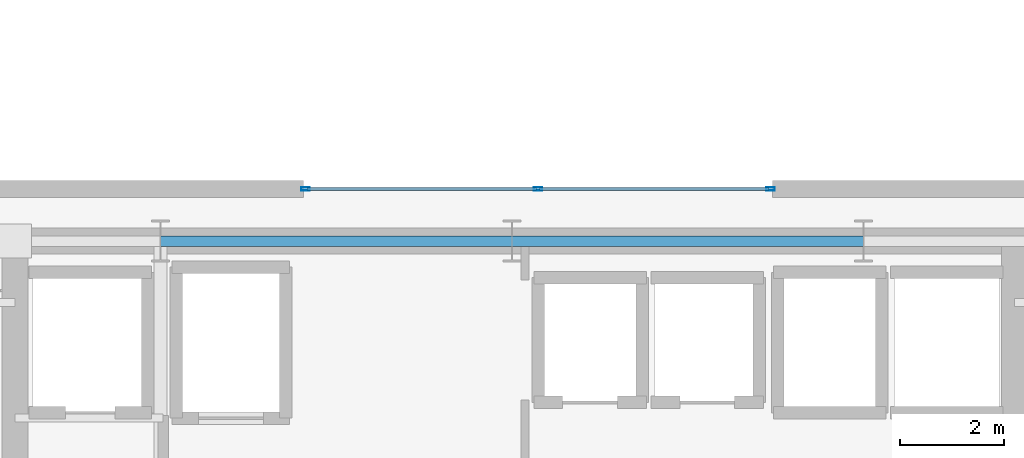
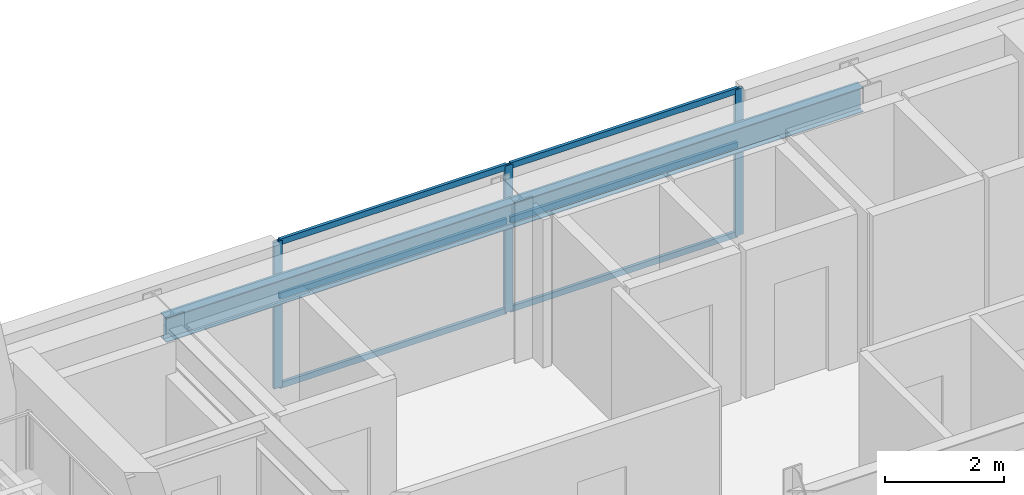
# One storey, part 4 of 22: 9 members, 2 beams, 1 element without a shape of its own.
"""IFC4 building model written with IfcOpenShell, lengths in metres."""

import ifcopenshell
import ifcopenshell.guid

model = None  # the IFC model being written
_history = None  # IfcOwnerHistory: only IFC2X3 demands one
_inside = {}  # id of a spatial element -> (the spatial element, [elements in it])
_under = {}  # id of a project, library or spatial element -> (it, [spatial elements below it])
_declared = {}  # id of a project -> (the project, [libraries it declares])
_typed = {}  # id of a type object -> (the type object, [elements of that type])
_made_of = {}  # id of a material, layer set ... -> (it, [elements and type objects made of it])


def new_model(schema):
    """Start an empty IFC model of exactly this schema.

    Asked for "IFC4X3", IfcOpenShell would pick the latest addendum, in which some entities
    have other attributes; the version numbers below select the first issue.
    IFC2X3 requires an IfcOwnerHistory on every rooted entity: one is made here for all.
    """
    global model, _history
    if schema == "IFC4X3":
        model = ifcopenshell.file(schema_version=(4, 3, 0, 0))
    else:
        model = ifcopenshell.file(schema=schema)
    _inside.clear()
    _under.clear()
    _declared.clear()
    _typed.clear()
    _made_of.clear()
    _history = None
    if model.schema == "IFC2X3":
        org = make("IfcOrganization", Name="unknown")
        user = make(
            "IfcPersonAndOrganization",
            ThePerson=make("IfcPerson", FamilyName="unknown"),
            TheOrganization=org,
        )
        app = make(
            "IfcApplication",
            ApplicationDeveloper=org,
            Version="unknown",
            ApplicationFullName="unknown",
            ApplicationIdentifier="unknown",
        )
        _history = make(
            "IfcOwnerHistory",
            OwningUser=user,
            OwningApplication=app,
            ChangeAction="ADDED",
            CreationDate=0,
        )
    return model


def make(cls, **values):
    """One entity of the class cls with the attributes given. An attribute that is None is left unset."""
    return model.create_entity(
        cls, **{name: value for name, value in values.items() if value is not None}
    )


def rooted(cls, **values):
    """An entity with a GlobalId (a new one), such as an element, a storey or a relation."""
    return make(cls, GlobalId=ifcopenshell.guid.new(), OwnerHistory=_history, **values)


def si_unit(unit_type, name, prefix=None):
    """IfcSIUnit, for example si_unit("LENGTHUNIT", "METRE", prefix="MILLI")."""
    return make("IfcSIUnit", UnitType=unit_type, Prefix=prefix, Name=name)


def assignment(units):
    """IfcUnitAssignment: the units of a project."""
    return None if units is None else make("IfcUnitAssignment", Units=units)


def point(xyz):
    """IfcCartesianPoint."""
    return None if xyz is None else make("IfcCartesianPoint", Coordinates=xyz)


def direction(xyz):
    """IfcDirection."""
    return None if xyz is None else make("IfcDirection", DirectionRatios=xyz)


def frame(location, z_axis=None, x_axis=None):
    """IfcAxis2Placement3D, a coordinate frame: its origin and axes. An axis left out is left unset."""
    return make(
        "IfcAxis2Placement3D",
        Location=point(location),
        Axis=direction(z_axis),
        RefDirection=direction(x_axis),
    )


def frame_2d(location, x_axis=None):
    """IfcAxis2Placement2D, a coordinate frame in the plane: its origin and x axis."""
    return make(
        "IfcAxis2Placement2D", Location=point(location), RefDirection=direction(x_axis)
    )


def origin():
    """The frame at (0, 0, 0) with its axes left unset."""
    return frame((0.0, 0.0, 0.0))


def origin_2d():
    """The frame at (0, 0) in the plane with its x axis left unset."""
    return frame_2d((0.0, 0.0))


def place(relative_to, where):
    """IfcLocalPlacement: puts the frame where relative to a parent placement (None: the world)."""
    return make(
        "IfcLocalPlacement", PlacementRelTo=relative_to, RelativePlacement=where
    )


def context(
    kind, dimensions, precision=None, world=None, true_north=None, identifier=None
):
    """IfcGeometricRepresentationContext, for example the 3D "Model" context."""
    return make(
        "IfcGeometricRepresentationContext",
        ContextIdentifier=identifier,
        ContextType=kind,
        CoordinateSpaceDimension=dimensions,
        Precision=precision,
        WorldCoordinateSystem=world,
        TrueNorth=true_north,
    )


def subcontext(parent, identifier, kind, view, scale=None):
    """IfcGeometricRepresentationSubContext, for example "Body" below "Model"."""
    return make(
        "IfcGeometricRepresentationSubContext",
        ContextIdentifier=identifier,
        ContextType=kind,
        ParentContext=parent,
        TargetScale=scale,
        TargetView=view,
    )


def project(units=None, contexts=None):
    """IfcProject with its units and contexts."""
    return rooted(
        "IfcProject",
        Name="project",
        RepresentationContexts=contexts,
        UnitsInContext=assignment(units),
    )


def spatial(cls, under=None, at=None, **own):
    """A site, building, storey or space (cls), placed at a placement, below another one or the project."""
    s = rooted(cls, ObjectPlacement=at, **own)
    if under is not None:
        _under.setdefault(under.id(), (under, []))[1].append(s)
    return s


def profile(cls, at=None, kind="AREA", **sizes):
    """A parametric profile (cls). Its sizes go by their IFC names, for example OverallWidth=200.0."""
    return make(cls, ProfileType=kind, Position=at, **sizes)


def hollow_rectangle(**sizes):
    """IfcRectangleHollowProfileDef."""
    return profile("IfcRectangleHollowProfileDef", **sizes)


def i_section(**sizes):
    """IfcIShapeProfileDef."""
    return profile("IfcIShapeProfileDef", **sizes)


def extrude(swept, where, along, depth):
    """IfcExtrudedAreaSolid: the profile swept, set in the frame where, extruded along a direction by depth."""
    return make(
        "IfcExtrudedAreaSolid",
        SweptArea=swept,
        Position=where,
        ExtrudedDirection=direction(along),
        Depth=depth,
    )


def shape(context_of_items, identifier, shape_type, items):
    """IfcShapeRepresentation: the items that make up one representation, for example the "Body"."""
    return make(
        "IfcShapeRepresentation",
        ContextOfItems=context_of_items,
        RepresentationIdentifier=identifier,
        RepresentationType=shape_type,
        Items=items,
    )


def material(Name=None, Category=None):
    """IfcMaterial."""
    return make("IfcMaterial", Name=Name, Category=Category)


def layer(
    of_material, thickness, ventilated=None, Name=None, Category=None, Priority=None
):
    """IfcMaterialLayer: one layer of a wall or slab, of a material (None: an air gap)."""
    return make(
        "IfcMaterialLayer",
        Material=of_material,
        LayerThickness=thickness,
        IsVentilated=ventilated,
        Name=Name,
        Category=Category,
        Priority=Priority,
    )


def layer_set(layers, Name=None):
    """IfcMaterialLayerSet."""
    return make("IfcMaterialLayerSet", MaterialLayers=layers, LayerSetName=Name)


def material_profile(
    of_material, cross_section, Name=None, Category=None, Priority=None
):
    """IfcMaterialProfile: a cross section and its material."""
    return make(
        "IfcMaterialProfile",
        Name=Name,
        Material=of_material,
        Profile=cross_section,
        Priority=Priority,
        Category=Category,
    )


def profile_set(profiles, Name=None, composite=None):
    """IfcMaterialProfileSet."""
    return make(
        "IfcMaterialProfileSet",
        Name=Name,
        MaterialProfiles=profiles,
        CompositeProfile=composite,
    )


def made_of(thing, what):
    """Note that an element or type object is made of a material, layer set ...; save() writes the relation."""
    if what is not None:
        _made_of.setdefault(what.id(), (what, []))[1].append(thing)
    return thing


def type_object(cls, material=None, **own):
    """A type object (cls), such as IfcWallType, which elements share."""
    return made_of(rooted(cls, **own), material)


def element(
    cls,
    number,
    at=None,
    inside=None,
    cuts=None,
    type_object=None,
    material=None,
    context=None,
    identifier="Body",
    shape_type=None,
    held_by="IfcProductDefinitionShape",
    body=None,
    shapes=None,
    **own,
):
    """One element of the class cls, such as IfcWall. Its Tag is "e" and its number.

    at: its placement. inside: the storey or other place that contains it. cuts: it is an
    opening in that element (IfcRelVoidsElement). A single representation is given by context,
    identifier, shape_type and body (its items); several are given by shapes. held_by: the class
    of the entity that holds the representations. save() writes the other relations.
    """
    e = rooted(cls, Tag="e%d" % number, ObjectPlacement=at, **own)
    if body is not None:
        shapes = [shape(context, identifier, shape_type, body)]
    if shapes is not None:
        e.Representation = make(held_by, Representations=shapes)
    if inside is not None:
        _inside.setdefault(inside.id(), (inside, []))[1].append(e)
    if cuts is not None:
        rooted(
            "IfcRelVoidsElement", RelatingBuildingElement=cuts, RelatedOpeningElement=e
        )
    if type_object is not None:
        _typed.setdefault(type_object.id(), (type_object, []))[1].append(e)
    return made_of(e, material)


def aggregate(whole, parts):
    """IfcRelAggregates: a whole, such as a stair, and the parts it consists of."""
    return rooted("IfcRelAggregates", RelatingObject=whole, RelatedObjects=parts)


def save(model, path):
    """Write the relations noted so far, then the file.

    IfcRelAggregates (storeys below a building ...), IfcRelContainedInSpatialStructure (elements
    in a storey), IfcRelDefinesByType, IfcRelAssociatesMaterial and IfcRelDeclares: one each for
    every whole, place, type object, material and project.
    """
    for whole, parts in _under.values():
        aggregate(whole, parts)
    for where, things in _inside.values():
        rooted(
            "IfcRelContainedInSpatialStructure",
            RelatedElements=things,
            RelatingStructure=where,
        )
    for kind, things in _typed.values():
        rooted("IfcRelDefinesByType", RelatedObjects=things, RelatingType=kind)
    for what, things in _made_of.values():
        rooted("IfcRelAssociatesMaterial", RelatedObjects=things, RelatingMaterial=what)
    for by, libraries in _declared.values():
        rooted("IfcRelDeclares", RelatingContext=by, RelatedDefinitions=libraries)
    model.write(path)


model = new_model("IFC4")

# Units and contexts
model_context = context("Model", 3, precision=1e-05, world=origin(), true_north=direction((0.0, 1.0)))
body_context = subcontext(model_context, "Body", "Model", "MODEL_VIEW")
ifc_project = project(units=[si_unit("LENGTHUNIT", "METRE"), si_unit("AREAUNIT", "SQUARE_METRE"), si_unit("VOLUMEUNIT", "CUBIC_METRE"), si_unit("PLANEANGLEUNIT", "RADIAN"), si_unit("MASSUNIT", "GRAM", prefix="KILO")], contexts=[model_context])

# Site, building, storey
site_placement = place(None, origin())
site = spatial("IfcSite", under=ifc_project, at=site_placement, CompositionType="ELEMENT")
building_placement = place(site_placement, origin())
building = spatial("IfcBuilding", under=site, at=building_placement, Name="Haevon Station Towers", CompositionType="ELEMENT")
storey_placement = place(building_placement, frame((0.0, 0.0, 93.300048828125)))
storey = spatial("IfcBuildingStorey", under=building, at=storey_placement, Name="L24", CompositionType="ELEMENT", Elevation=93.300048828125)

# Beams
ifc_material_1 = material(Name="Steel S355", Category="steel")
ifc_material_profile_1 = material_profile(ifc_material_1, i_section(OverallWidth=0.199951171875, OverallDepth=0.5, WebThickness=0.010009765625, FlangeThickness=0.01611328125, at=origin_2d()), Name="H-500x200x10x16")
ifc_profile_set_1 = profile_set([ifc_material_profile_1], Name="Steel S355")
beam_type = type_object("IfcBeamType", Name="BM-SP500", PredefinedType="SPANDREL", material=ifc_profile_set_1)
for number, where, z_axis, x_axis, name in (
    (1, (30.75, 48.0, 2.800048828125), (1.0, 0.0, 0.0), (0.0, 1.0, 0.0), "BM-T1U-L24-04-03"),
    (2, (37.5, 48.0, 2.800048828125), (1.0, 0.0, 0.0), (0.0, 1.0, 0.0), "BM-T1U-L24-04-04"),
):
    element("IfcBeam", number, at=place(storey_placement, frame(where, z_axis=z_axis, x_axis=x_axis)), inside=storey, type_object=beam_type, Name=name, PredefinedType="SPANDREL", context=body_context, shape_type="SweptSolid", body=[
        extrude(i_section(OverallWidth=0.199951171875, OverallDepth=0.5, WebThickness=0.010009765625, FlangeThickness=0.01611328125, at=origin_2d()), origin(), (0.0, 0.0, 1.0), 6.75),
    ])

# Curtain wall, members
ifc_material_2 = material(Name="Anodised aluminium and Low-E double glazing", Category="aluminium")
ifc_layer = layer(ifc_material_2, 0.179931640625)
ifc_layer_set = layer_set([ifc_layer], Name="Anodised aluminium and Low-E double glazing")
curtain_wall_type = type_object("IfcCurtainWallType", Name="CW-SYS4", PredefinedType="NOTDEFINED", material=ifc_layer_set)
curtain_wall_placement = place(storey_placement, origin())
curtain_wall = element("IfcCurtainWall", 3, at=curtain_wall_placement, inside=storey, type_object=curtain_wall_type, Name="L24 Curtain Wall CW-T1-L24-N", PredefinedType="NOTDEFINED")
ifc_material_3 = material(Name="Anodised aluminium 6063-T6", Category="aluminium")
ifc_material_profile_2 = material_profile(ifc_material_3, hollow_rectangle(XDim=0.06494140625, YDim=0.159912109375, WallThickness=0.00390625, at=origin_2d()), Name="CWM-160x65x4")
ifc_profile_set_2 = profile_set([ifc_material_profile_2], Name="Anodised aluminium 6063-T6")
member_type_1 = type_object("IfcMemberType", Name="CWM-160", PredefinedType="MULLION", material=ifc_profile_set_2)
member_1_placement = place(storey_placement, frame((33.532470703125, 49.0, 0.0), z_axis=(0.0, 0.0, 1.0), x_axis=(0.0, 1.0, 0.0)))
member_1 = element("IfcMember", 4, at=member_1_placement, type_object=member_type_1, Name="CW-SYS4 mullion 1", PredefinedType="MULLION", context=body_context, shape_type="SweptSolid", body=[
    extrude(hollow_rectangle(XDim=0.06494140625, YDim=0.159912109375, WallThickness=0.00390625, at=origin_2d()), origin(), (0.0, 0.0, 1.0), 3.0),
])
member_2_placement = place(storey_placement, frame((38.0, 49.0, 0.0), z_axis=(0.0, 0.0, 1.0), x_axis=(0.0, 1.0, 0.0)))
member_2 = element("IfcMember", 5, at=member_2_placement, type_object=member_type_1, Name="CW-SYS4 mullion 2", PredefinedType="MULLION", context=body_context, shape_type="SweptSolid", body=[
    extrude(hollow_rectangle(XDim=0.06494140625, YDim=0.159912109375, WallThickness=0.00390625, at=origin_2d()), origin(), (0.0, 0.0, 1.0), 3.0),
])
member_3_placement = place(storey_placement, frame((42.467529296875, 49.0, 0.0), z_axis=(0.0, 0.0, 1.0), x_axis=(0.0, 1.0, 0.0)))
member_3 = element("IfcMember", 6, at=member_3_placement, type_object=member_type_1, Name="CW-SYS4 mullion 3", PredefinedType="MULLION", context=body_context, shape_type="SweptSolid", body=[
    extrude(hollow_rectangle(XDim=0.06494140625, YDim=0.159912109375, WallThickness=0.00390625, at=origin_2d()), origin(), (0.0, 0.0, 1.0), 3.0),
])
ifc_material_profile_3 = material_profile(ifc_material_3, hollow_rectangle(XDim=0.06005859375, YDim=0.1201171875, WallThickness=0.0029296875, at=origin_2d()), Name="CWT-120x60x3")
ifc_profile_set_3 = profile_set([ifc_material_profile_3], Name="Anodised aluminium 6063-T6")
member_type_2 = type_object("IfcMemberType", Name="CWT-120", PredefinedType="USERDEFINED", material=ifc_profile_set_3)
member_4_placement = place(storey_placement, frame((33.56494140625, 49.0, 0.030029296875), z_axis=(1.0, 0.0, 0.0), x_axis=(0.0, 1.0, 0.0)))
member_4 = element("IfcMember", 7, at=member_4_placement, type_object=member_type_2, Name="CW-SYS4 transom 1.1", ObjectType="TRANSOM", PredefinedType="USERDEFINED", context=body_context, shape_type="SweptSolid", body=[
    extrude(hollow_rectangle(XDim=0.06005859375, YDim=0.1201171875, WallThickness=0.0029296875, at=origin_2d()), origin(), (0.0, 0.0, 1.0), 4.402587890625),
])
member_5_placement = place(storey_placement, frame((33.56494140625, 49.0, 1.85986328125), z_axis=(1.0, 0.0, 0.0), x_axis=(0.0, 1.0, 0.0)))
member_5 = element("IfcMember", 8, at=member_5_placement, type_object=member_type_2, Name="CW-SYS4 transom 1.2", ObjectType="TRANSOM", PredefinedType="USERDEFINED", context=body_context, shape_type="SweptSolid", body=[
    extrude(hollow_rectangle(XDim=0.06005859375, YDim=0.1201171875, WallThickness=0.0029296875, at=origin_2d()), origin(), (0.0, 0.0, 1.0), 4.402587890625),
])
member_6_placement = place(storey_placement, frame((33.56494140625, 49.0, 2.969970703125), z_axis=(1.0, 0.0, 0.0), x_axis=(0.0, 1.0, 0.0)))
member_6 = element("IfcMember", 9, at=member_6_placement, type_object=member_type_2, Name="CW-SYS4 transom 1.3", ObjectType="TRANSOM", PredefinedType="USERDEFINED", context=body_context, shape_type="SweptSolid", body=[
    extrude(hollow_rectangle(XDim=0.06005859375, YDim=0.1201171875, WallThickness=0.0029296875, at=origin_2d()), origin(), (0.0, 0.0, 1.0), 4.402587890625),
])
member_7_placement = place(storey_placement, frame((38.032470703125, 49.0, 0.030029296875), z_axis=(1.0, 0.0, 0.0), x_axis=(0.0, 1.0, 0.0)))
member_7 = element("IfcMember", 10, at=member_7_placement, type_object=member_type_2, Name="CW-SYS4 transom 2.1", ObjectType="TRANSOM", PredefinedType="USERDEFINED", context=body_context, shape_type="SweptSolid", body=[
    extrude(hollow_rectangle(XDim=0.06005859375, YDim=0.1201171875, WallThickness=0.0029296875, at=origin_2d()), origin(), (0.0, 0.0, 1.0), 4.402587890625),
])
member_8_placement = place(storey_placement, frame((38.032470703125, 49.0, 1.85986328125), z_axis=(1.0, 0.0, 0.0), x_axis=(0.0, 1.0, 0.0)))
member_8 = element("IfcMember", 11, at=member_8_placement, type_object=member_type_2, Name="CW-SYS4 transom 2.2", ObjectType="TRANSOM", PredefinedType="USERDEFINED", context=body_context, shape_type="SweptSolid", body=[
    extrude(hollow_rectangle(XDim=0.06005859375, YDim=0.1201171875, WallThickness=0.0029296875, at=origin_2d()), origin(), (0.0, 0.0, 1.0), 4.402587890625),
])
member_9_placement = place(storey_placement, frame((38.032470703125, 49.0, 2.969970703125), z_axis=(1.0, 0.0, 0.0), x_axis=(0.0, 1.0, 0.0)))
member_9 = element("IfcMember", 12, at=member_9_placement, type_object=member_type_2, Name="CW-SYS4 transom 2.3", ObjectType="TRANSOM", PredefinedType="USERDEFINED", context=body_context, shape_type="SweptSolid", body=[
    extrude(hollow_rectangle(XDim=0.06005859375, YDim=0.1201171875, WallThickness=0.0029296875, at=origin_2d()), origin(), (0.0, 0.0, 1.0), 4.402587890625),
])
aggregate(curtain_wall, [member_1, member_2, member_3, member_4, member_5, member_6, member_7, member_8, member_9])

save(model, "model.ifc")
